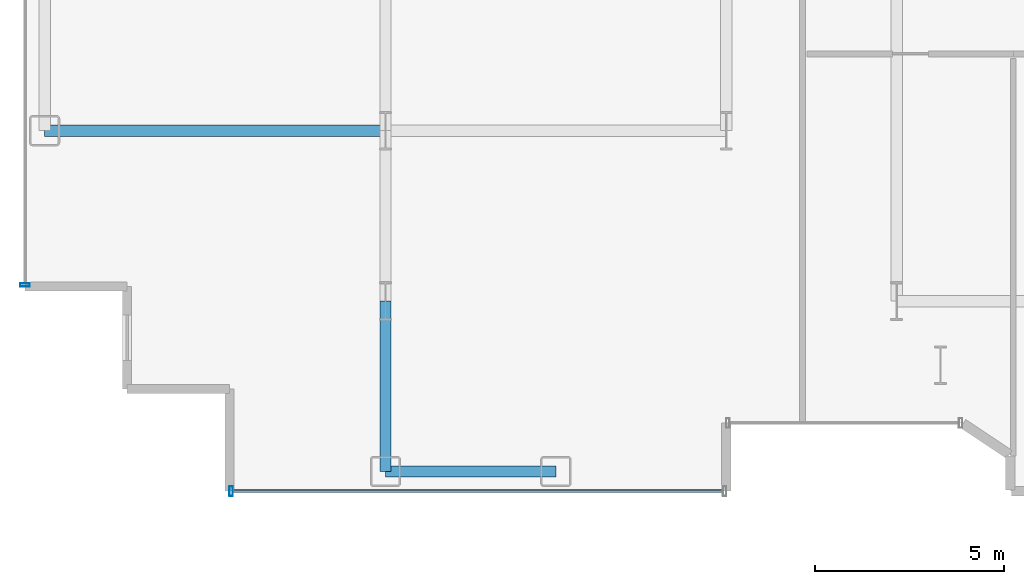
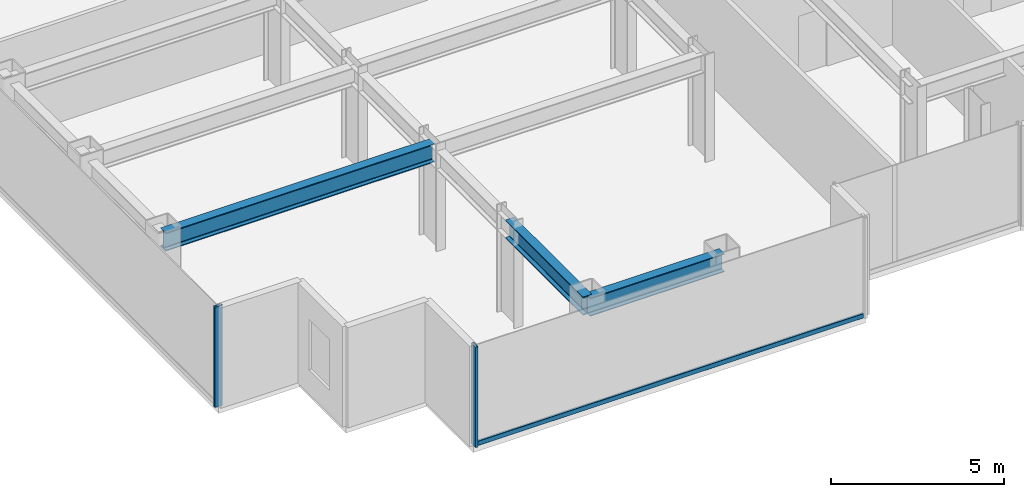
# One storey, part 2 of 25: 3 beams, 3 members, 2 elements without a shape of their own.
"""IFC4 building model written with IfcOpenShell, lengths in metres."""

from ifc_helpers import new_model, si_unit, direction, frame, origin, origin_2d, place, context, subcontext, project, spatial, hollow_rectangle, i_section, extrude, source, transform, mapped, material, layer, layer_set, material_profile, profile_set, type_object, element, aggregate, save


model = new_model("IFC4")

# Units and contexts
model_context = context("Model", 3, precision=1e-05, world=origin(), true_north=direction((0.0, 1.0)))
body_context = subcontext(model_context, "Body", "Model", "MODEL_VIEW")
ifc_project = project(units=[si_unit("LENGTHUNIT", "METRE"), si_unit("AREAUNIT", "SQUARE_METRE"), si_unit("VOLUMEUNIT", "CUBIC_METRE"), si_unit("PLANEANGLEUNIT", "RADIAN"), si_unit("MASSUNIT", "GRAM", prefix="KILO")], contexts=[model_context])

# Site, building, storey
site_placement = place(None, origin())
site = spatial("IfcSite", under=ifc_project, at=site_placement, CompositionType="ELEMENT")
building_placement = place(site_placement, origin())
building = spatial("IfcBuilding", under=site, at=building_placement, Name="Nefas-Gora Pilgrimage Tower", CompositionType="ELEMENT")
storey_placement = place(building_placement, frame((0.0, 0.0, 109.800048828125)))
storey = spatial("IfcBuildingStorey", under=building, at=storey_placement, Name="L26", CompositionType="ELEMENT", Elevation=109.800048828125)

# Beams
ifc_material_1 = material(Name="Steel S355", Category="steel")
ifc_material_profile_1 = material_profile(ifc_material_1, i_section(OverallWidth=0.300048828125, OverallDepth=0.64990234375, WebThickness=0.01611328125, FlangeThickness=0.031005859375, FilletRadius=0.027099609375, at=origin_2d()), Name="HEB 650")
ifc_profile_set_1 = profile_set([ifc_material_profile_1], Name="Steel S355")
beam_type_1 = type_object("IfcBeamType", Name="BM-SPN-HEB500", PredefinedType="SPANDREL", material=ifc_profile_set_1)
shared_shape_1 = source(origin(), body_context, "Body", "SweptSolid", [
    extrude(i_section(OverallWidth=0.300048828125, OverallDepth=0.64990234375, WebThickness=0.01611328125, FlangeThickness=0.031005859375, FilletRadius=0.027099609375, at=origin_2d()), origin(), (0.0, 0.0, 1.0), 4.5),
])
beam_1_placement = place(storey_placement, frame((-24.75, -22.5, 3.224853515625), z_axis=(1.0, 0.0, 0.0), x_axis=(0.0, 1.0, 0.0)))
element("IfcBeam", 1, at=beam_1_placement, inside=storey, type_object=beam_type_1, Name="L26 SP-02 beam", PredefinedType="SPANDREL", context=body_context, shape_type="MappedRepresentation", body=[
    mapped(shared_shape_1, transform((0.0, 0.0, 0.0), x_axis=(1.0, 0.0, 0.0), y_axis=(0.0, 1.0, 0.0), z_axis=(0.0, 0.0, 1.0), scale=1.0)),
])
ifc_material_profile_2 = material_profile(ifc_material_1, i_section(OverallWidth=0.300048828125, OverallDepth=0.64990234375, WebThickness=0.01611328125, FlangeThickness=0.031005859375, FilletRadius=0.027099609375, at=origin_2d()), Name="HEB 650")
ifc_profile_set_2 = profile_set([ifc_material_profile_2], Name="Steel S355")
beam_type_2 = type_object("IfcBeamType", Name="BM-GIR-HEB650", PredefinedType="BEAM", material=ifc_profile_set_2)
shared_shape_2 = source(origin(), body_context, "Body", "SweptSolid", [
    extrude(i_section(OverallWidth=0.300048828125, OverallDepth=0.64990234375, WebThickness=0.01611328125, FlangeThickness=0.031005859375, FilletRadius=0.027099609375, at=origin_2d()), origin(), (0.0, 0.0, 1.0), 9.0),
])
beam_2_placement = place(storey_placement, frame((-33.75, -13.5, 3.224853515625), z_axis=(1.0, 0.0, 0.0), x_axis=(0.0, 1.0, 0.0)))
element("IfcBeam", 2, at=beam_2_placement, inside=storey, type_object=beam_type_2, Name="L26 G-03 beam", PredefinedType="BEAM", context=body_context, shape_type="MappedRepresentation", body=[
    mapped(shared_shape_2, transform((0.0, 0.0, 0.0), x_axis=(1.0, 0.0, 0.0), y_axis=(0.0, 1.0, 0.0), z_axis=(0.0, 0.0, 1.0), scale=1.0)),
])
shared_shape_3 = source(origin(), body_context, "Body", "SweptSolid", [
    extrude(i_section(OverallWidth=0.300048828125, OverallDepth=0.64990234375, WebThickness=0.01611328125, FlangeThickness=0.031005859375, FilletRadius=0.027099609375, at=origin_2d()), origin(), (0.0, 0.0, 1.0), 4.5),
])
beam_3_placement = place(storey_placement, frame((-24.75, -22.5, 3.224853515625), z_axis=(0.0, 1.0, 0.0), x_axis=(-1.0, 0.0, 0.0)))
element("IfcBeam", 3, at=beam_3_placement, inside=storey, type_object=beam_type_2, Name="L26 G-03 beam", PredefinedType="BEAM", context=body_context, shape_type="MappedRepresentation", body=[
    mapped(shared_shape_3, transform((0.0, 0.0, 0.0), x_axis=(1.0, 0.0, 0.0), y_axis=(0.0, 1.0, 0.0), z_axis=(0.0, 0.0, 1.0), scale=1.0)),
])

# Curtain wall, member
ifc_material_2 = material(Name="Dark ceramic-fritted solar-control aluminium-glass curtain wall", Category="aluminium")
ifc_layer = layer(ifc_material_2, 0.219970703125)
ifc_layer_set = layer_set([ifc_layer], Name="Dark ceramic-fritted solar-control aluminium-glass curtain wall")
curtain_wall_type = type_object("IfcCurtainWallType", Name="CW-SYS-2", PredefinedType="NOTDEFINED", material=ifc_layer_set)
curtain_wall_1_placement = place(storey_placement, origin())
curtain_wall_1 = element("IfcCurtainWall", 4, at=curtain_wall_1_placement, inside=storey, type_object=curtain_wall_type, Name="L26 Unitised Curtain Wall CW2", PredefinedType="NOTDEFINED")
ifc_material_3 = material(Name="Anodised architectural aluminium", Category="aluminium")
ifc_material_profile_3 = material_profile(ifc_material_3, hollow_rectangle(XDim=0.090087890625, YDim=0.260009765625, WallThickness=0.006103515625, InnerFilletRadius=0.006103515625, OuterFilletRadius=0.011962890625, at=origin_2d()), Name="ALU MULLION 90x260")
ifc_profile_set_3 = profile_set([ifc_material_profile_3], Name="Anodised architectural aluminium")
member_type_1 = type_object("IfcMemberType", Name="CWM-MUL-2", PredefinedType="MULLION", material=ifc_profile_set_3)
shared_shape_4 = source(origin(), body_context, "Body", "SweptSolid", [
    extrude(hollow_rectangle(XDim=0.090087890625, YDim=0.260009765625, WallThickness=0.006103515625, InnerFilletRadius=0.006103515625, OuterFilletRadius=0.011962890625, at=origin_2d()), origin(), (0.0, 0.0, 1.0), 3.550048828125),
])
member_1_placement = place(storey_placement, frame((-34.27001953125, -17.574951171875, 0.0), z_axis=(0.0, 0.0, 1.0), x_axis=(0.0, -1.0, 0.0)))
member_1 = element("IfcMember", 5, at=member_1_placement, type_object=member_type_1, Name="CW2 Mullion 2", PredefinedType="MULLION", context=body_context, shape_type="MappedRepresentation", body=[
    mapped(shared_shape_4, transform((0.0, 0.0, 0.0), x_axis=(1.0, 0.0, 0.0), y_axis=(0.0, 1.0, 0.0), z_axis=(0.0, 0.0, 1.0), scale=1.0)),
])
aggregate(curtain_wall_1, [member_1])

# Curtain wall, members
curtain_wall_2_placement = place(storey_placement, origin())
curtain_wall_2 = element("IfcCurtainWall", 6, at=curtain_wall_2_placement, inside=storey, type_object=curtain_wall_type, Name="L26 Unitised Curtain Wall CW2", PredefinedType="NOTDEFINED")
member_2_placement = place(storey_placement, frame((-28.824951171875, -23.02001953125, 0.0), z_axis=(0.0, 0.0, 1.0), x_axis=(1.0, 0.0, 0.0)))
member_2 = element("IfcMember", 7, at=member_2_placement, type_object=member_type_1, Name="CW2 Mullion 1", PredefinedType="MULLION", context=body_context, shape_type="MappedRepresentation", body=[
    mapped(shared_shape_4, transform((0.0, 0.0, 0.0), x_axis=(1.0, 0.0, 0.0), y_axis=(0.0, 1.0, 0.0), z_axis=(0.0, 0.0, 1.0), scale=1.0)),
])
ifc_material_profile_4 = material_profile(ifc_material_3, hollow_rectangle(XDim=0.080078125, YDim=0.159912109375, WallThickness=0.00439453125, InnerFilletRadius=0.00439453125, OuterFilletRadius=0.009033203125, at=origin_2d()), Name="ALU TRANSOM 80x160")
ifc_profile_set_4 = profile_set([ifc_material_profile_4], Name="Anodised architectural aluminium")
member_type_2 = type_object("IfcMemberType", Name="CWM-TRN-2", PredefinedType="USERDEFINED", material=ifc_profile_set_4)
shared_shape_5 = source(origin(), body_context, "Body", "SweptSolid", [
    extrude(hollow_rectangle(XDim=0.080078125, YDim=0.159912109375, WallThickness=0.00439453125, InnerFilletRadius=0.00439453125, OuterFilletRadius=0.009033203125, at=origin_2d()), origin(), (0.0, 0.0, 1.0), 12.93994140625),
])
member_3_placement = place(storey_placement, frame((-28.780029296875, -23.02001953125, 0.050048828125), z_axis=(1.0, 0.0, 0.0), x_axis=(0.0, 1.0, 0.0)))
member_3 = element("IfcMember", 8, at=member_3_placement, type_object=member_type_2, Name="CW2 Spandrel Transom", ObjectType="TRANSOM", PredefinedType="USERDEFINED", context=body_context, shape_type="MappedRepresentation", body=[
    mapped(shared_shape_5, transform((0.0, 0.0, 0.0), x_axis=(1.0, 0.0, 0.0), y_axis=(0.0, 1.0, 0.0), z_axis=(0.0, 0.0, 1.0), scale=1.0)),
])
aggregate(curtain_wall_2, [member_2, member_3])

save(model, "model.ifc")
